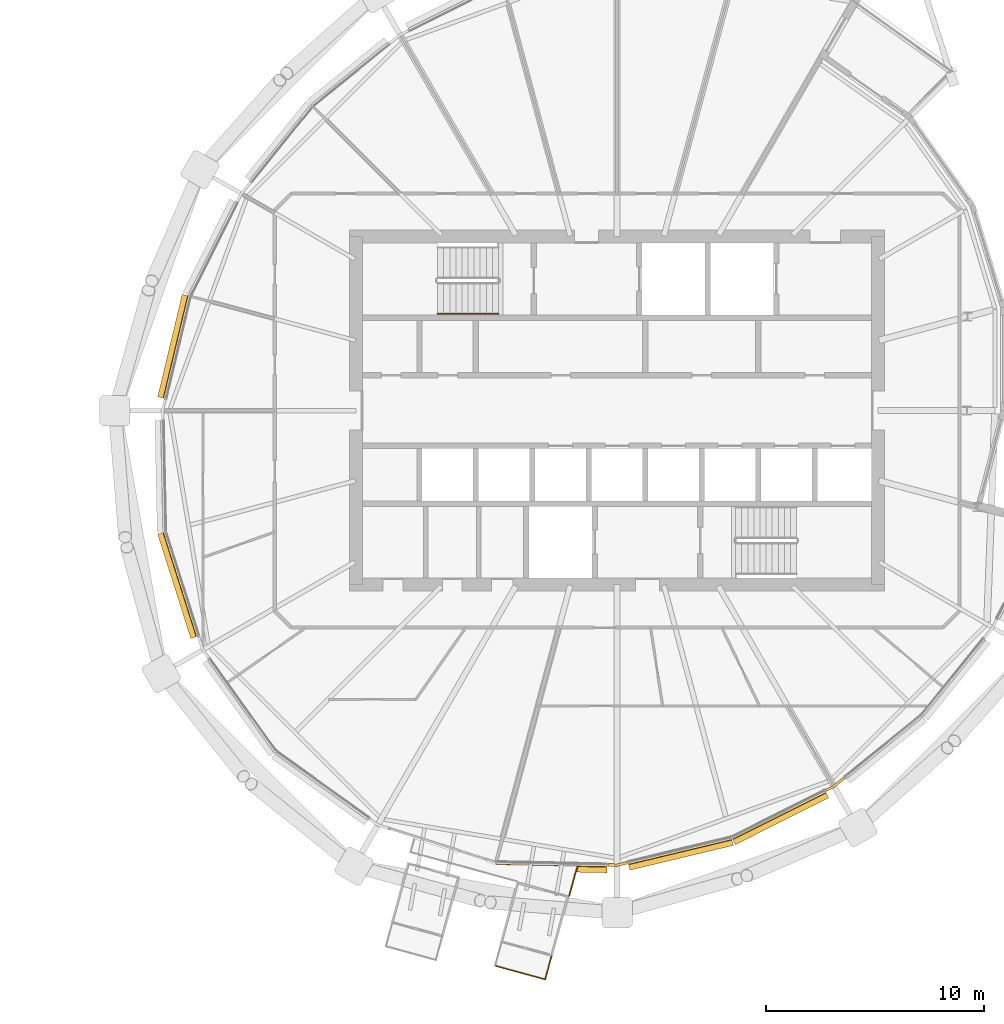
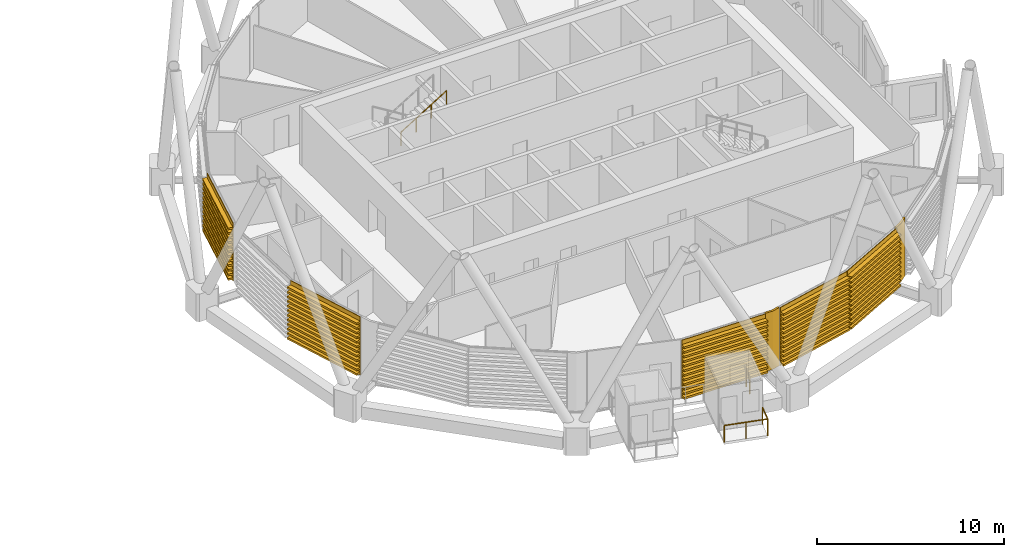
# One storey, part 35 of 37: 7 coverings, 4 railings.
"""IFC4 building model written with IfcOpenShell, lengths in metres."""

from ifc_helpers import new_model, si_unit, direction, frame, origin, origin_2d, place, context, subcontext, project, spatial, polyline, circle, outline, extrude, material, layer, layer_set, material_profile, profile_set, type_object, element, save


model = new_model("IFC4")

# Units and contexts
model_context = context("Model", 3, precision=1e-05, world=origin(), true_north=direction((0.0, 1.0)))
body_context = subcontext(model_context, "Body", "Model", "MODEL_VIEW")
ifc_project = project(units=[si_unit("LENGTHUNIT", "METRE"), si_unit("AREAUNIT", "SQUARE_METRE"), si_unit("VOLUMEUNIT", "CUBIC_METRE"), si_unit("PLANEANGLEUNIT", "RADIAN"), si_unit("MASSUNIT", "GRAM", prefix="KILO")], contexts=[model_context])

# Site, building, storey
site_placement = place(None, origin())
site = spatial("IfcSite", under=ifc_project, at=site_placement, CompositionType="ELEMENT")
building_placement = place(site_placement, origin())
building = spatial("IfcBuilding", under=site, at=building_placement, Name="Rimbun Link Towers", CompositionType="ELEMENT")
storey_placement = place(building_placement, frame((0.0, 0.0, 170.300048828125)))
storey = spatial("IfcBuildingStorey", under=building, at=storey_placement, Name="L41", CompositionType="ELEMENT", Elevation=170.300048828125)

# Railings
ifc_material_1 = material(Name="Stainless steel grade 316", Category="steel")
railing_type_1 = type_object("IfcRailingType", Name="GUARD stainless rail and posts", PredefinedType="GUARDRAIL", material=ifc_material_1)
railing_1_placement = place(storey_placement, frame((26.13134765625, -25.5146484375, 0.0)))
element("IfcRailing", 1, at=railing_1_placement, inside=storey, type_object=railing_type_1, Name="GUARD D412.01 balcony", PredefinedType="GUARDRAIL", context=body_context, shape_type="SweptSolid", body=[
    extrude(circle(Radius=0.02392578125, at=origin_2d()), frame((0.0, 0.0, 1.076171875), z_axis=(0.964302211697, -0.264804162575, 0.0), x_axis=(0.264804162575, 0.964302211697, 0.0)), (0.0, 0.0, 1.0), 2.39990234375),
    extrude(circle(Radius=0.02099609375, at=origin_2d()), origin(), (0.0, 0.0, 1.0), 1.052001953125),
    extrude(circle(Radius=0.02099609375, at=origin_2d()), frame((1.1572265625, -0.31787109375, 0.0)), (0.0, 0.0, 1.0), 1.052001953125),
    extrude(circle(Radius=0.02099609375, at=origin_2d()), frame((2.314208984375, -0.635498046875, 0.0)), (0.0, 0.0, 1.0), 1.052001953125),
])
railing_2_placement = place(storey_placement, frame((28.445556640625, -26.150146484375, 0.0)))
element("IfcRailing", 2, at=railing_2_placement, inside=storey, type_object=railing_type_1, Name="GUARD D412.01 balcony", PredefinedType="GUARDRAIL", context=body_context, shape_type="SweptSolid", body=[
    extrude(circle(Radius=0.02392578125, at=origin_2d()), frame((0.0, 0.0, 1.076171875), z_axis=(0.264826265466, 0.964296141815, 0.0), x_axis=(-0.964296141815, 0.264826265466, 0.0)), (0.0, 0.0, 1.0), 1.099853515625),
    extrude(circle(Radius=0.02099609375, at=origin_2d()), origin(), (0.0, 0.0, 1.0), 1.052001953125),
    extrude(circle(Radius=0.02099609375, at=origin_2d()), frame((0.291259765625, 1.060546875, 0.0)), (0.0, 0.0, 1.0), 1.052001953125),
])
railing_3_placement = place(storey_placement, frame((29.55322265625, -22.30615234375, 0.0)))
element("IfcRailing", 3, at=railing_3_placement, inside=storey, type_object=railing_type_1, Name="GUARD D412 gallery", PredefinedType="GUARDRAIL", context=body_context, shape_type="SweptSolid", body=[
    extrude(circle(Radius=0.02392578125, at=origin_2d()), frame((0.0, 0.0, 1.076171875), z_axis=(0.26473902374, 0.964320096912, 0.0), x_axis=(-0.964320096912, 0.26473902374, 0.0)), (0.0, 0.0, 1.0), 1.413818359375),
    extrude(circle(Radius=0.02099609375, at=origin_2d()), origin(), (0.0, 0.0, 1.0), 1.052001953125),
    extrude(circle(Radius=0.02099609375, at=origin_2d()), frame((0.18701171875, 0.681640625, 0.0)), (0.0, 0.0, 1.0), 1.052001953125),
    extrude(circle(Radius=0.02099609375, at=origin_2d()), frame((0.374267578125, 1.36328125, 0.0)), (0.0, 0.0, 1.0), 1.052001953125),
])

# Coverings
ifc_material_2 = material(Name="Terracotta", Category="masonry")
ifc_layer = layer(ifc_material_2, 0.1201171875)
ifc_layer_set = layer_set([ifc_layer], Name="LINK PIER terracotta cladding 120")
covering_type_1 = type_object("IfcCoveringType", Name="LINK PIER terracotta cladding 120", PredefinedType="CLADDING", material=ifc_layer_set)
covering_1_placement = place(storey_placement, origin())
element("IfcCovering", 4, at=covering_1_placement, inside=storey, type_object=covering_type_1, Name="LINK PIER cladding", PredefinedType="CLADDING", context=body_context, shape_type="SweptSolid", body=[
    extrude(outline(polyline([(32.20703125, -20.723876953125), (31.75, -20.8330078125), (31.330078125, -20.82421875), (31.32763671875, -20.9443359375), (31.762939453125, -20.953369140625), (32.235107421875, -20.840576171875), (32.20703125, -20.723876953125)])), origin(), (0.0, 0.0, 1.0), 3.800048828125),
])
covering_2_placement = place(storey_placement, origin())
element("IfcCovering", 5, at=covering_2_placement, inside=storey, type_object=covering_type_1, Name="LINK PIER cladding", PredefinedType="CLADDING", context=body_context, shape_type="SweptSolid", body=[
    extrude(outline(polyline([(42.174072265625, -16.830078125), (41.692138671875, -17.22021484375), (41.316650390625, -17.40869140625), (41.37060546875, -17.515869140625), (41.757568359375, -17.321533203125), (42.24951171875, -16.92333984375), (42.174072265625, -16.830078125)])), origin(), (0.0, 0.0, 1.0), 3.800048828125),
])

# Railing
ifc_material_3 = material(Name="Stainless steel grade 316", Category="steel")
railing_type_2 = type_object("IfcRailingType", Name="Stair handrail", PredefinedType="HANDRAIL", material=ifc_material_3)
railing_4_placement = place(storey_placement, frame((23.5, 4.449951171875, 2.07275390625)))
element("IfcRailing", 6, at=railing_4_placement, inside=storey, type_object=railing_type_2, Name="L41 ST3 stair handrail 2", PredefinedType="HANDRAIL", context=body_context, shape_type="SweptSolid", body=[
    extrude(circle(Radius=0.02392578125, at=origin_2d()), frame((0.0, 0.0, 0.8759765625), z_axis=(0.851089632645, 0.0, 0.525020415988), x_axis=(0.0, 1.0, 0.0)), (0.0, 0.0, 1.0), 3.2900390625),
    extrude(circle(Radius=0.02099609375, at=origin_2d()), origin(), (0.0, 0.0, 1.0), 0.851806640625),
    extrude(circle(Radius=0.02099609375, at=origin_2d()), frame((0.933349609375, 0.0, 0.57568359375)), (0.0, 0.0, 1.0), 0.851806640625),
    extrude(circle(Radius=0.02099609375, at=origin_2d()), frame((1.86669921875, 0.0, 1.151611328125)), (0.0, 0.0, 1.0), 0.851806640625),
    extrude(circle(Radius=0.02099609375, at=origin_2d()), frame((2.800048828125, 0.0, 1.727294921875)), (0.0, 0.0, 1.0), 0.851806640625),
])

# Coverings
ifc_material_4 = material(Name="Terracotta", Category="masonry")
ifc_material_profile = material_profile(ifc_material_4, outline(polyline([(0.123046875, 0.0), (0.1630859375, 0.0), (0.1630859375, 0.10009765625), (0.423095703125, 0.10009765625), (0.423095703125, 0.219970703125), (0.1630859375, 0.219970703125), (0.1630859375, 0.39990234375), (0.423095703125, 0.39990234375), (0.423095703125, 0.52001953125), (0.1630859375, 0.52001953125), (0.1630859375, 0.699951171875), (0.423095703125, 0.699951171875), (0.423095703125, 0.820068359375), (0.1630859375, 0.820068359375), (0.1630859375, 1.0), (0.423095703125, 1.0), (0.423095703125, 1.1201171875), (0.1630859375, 1.1201171875), (0.1630859375, 1.300048828125), (0.423095703125, 1.300048828125), (0.423095703125, 1.419921875), (0.1630859375, 1.419921875), (0.1630859375, 1.60009765625), (0.423095703125, 1.60009765625), (0.423095703125, 1.719970703125), (0.1630859375, 1.719970703125), (0.1630859375, 1.89990234375), (0.423095703125, 1.89990234375), (0.423095703125, 2.02001953125), (0.1630859375, 2.02001953125), (0.1630859375, 2.199951171875), (0.423095703125, 2.199951171875), (0.423095703125, 2.320068359375), (0.1630859375, 2.320068359375), (0.1630859375, 2.5), (0.423095703125, 2.5), (0.423095703125, 2.6201171875), (0.1630859375, 2.6201171875), (0.1630859375, 2.800048828125), (0.423095703125, 2.800048828125), (0.423095703125, 2.919921875), (0.1630859375, 2.919921875), (0.1630859375, 3.10009765625), (0.423095703125, 3.10009765625), (0.423095703125, 3.219970703125), (0.1630859375, 3.219970703125), (0.1630859375, 3.39990234375), (0.423095703125, 3.39990234375), (0.423095703125, 3.52001953125), (0.1630859375, 3.52001953125), (0.1630859375, 3.800048828125), (0.123046875, 3.800048828125), (0.123046875, 0.0)])), Name="BAGUETTE 120X300")
ifc_profile_set = profile_set([ifc_material_profile], Name="Terracotta")
covering_type_2 = type_object("IfcCoveringType", Name="TERRACOTTA BAGUETTE 120X300 H3800", PredefinedType="CLADDING", material=ifc_profile_set)
covering_3_placement = place(storey_placement, frame((11.044921875, 0.534912109375, 0.0), z_axis=(0.23254937584, 0.972584591589, 0.0), x_axis=(-0.972584591589, 0.23254937584, 0.0)))
element("IfcCovering", 7, at=covering_3_placement, inside=storey, type_object=covering_type_2, Name="TERRACOTTA BAGUETTE", PredefinedType="CLADDING", context=body_context, shape_type="SweptSolid", body=[
    extrude(outline(polyline([(0.123046875, 0.0), (0.1630859375, 0.0), (0.1630859375, 0.10009765625), (0.423095703125, 0.10009765625), (0.423095703125, 0.219970703125), (0.1630859375, 0.219970703125), (0.1630859375, 0.39990234375), (0.423095703125, 0.39990234375), (0.423095703125, 0.52001953125), (0.1630859375, 0.52001953125), (0.1630859375, 0.699951171875), (0.423095703125, 0.699951171875), (0.423095703125, 0.820068359375), (0.1630859375, 0.820068359375), (0.1630859375, 1.0), (0.423095703125, 1.0), (0.423095703125, 1.1201171875), (0.1630859375, 1.1201171875), (0.1630859375, 1.300048828125), (0.423095703125, 1.300048828125), (0.423095703125, 1.419921875), (0.1630859375, 1.419921875), (0.1630859375, 1.60009765625), (0.423095703125, 1.60009765625), (0.423095703125, 1.719970703125), (0.1630859375, 1.719970703125), (0.1630859375, 1.89990234375), (0.423095703125, 1.89990234375), (0.423095703125, 2.02001953125), (0.1630859375, 2.02001953125), (0.1630859375, 2.199951171875), (0.423095703125, 2.199951171875), (0.423095703125, 2.320068359375), (0.1630859375, 2.320068359375), (0.1630859375, 2.5), (0.423095703125, 2.5), (0.423095703125, 2.6201171875), (0.1630859375, 2.6201171875), (0.1630859375, 2.800048828125), (0.423095703125, 2.800048828125), (0.423095703125, 2.919921875), (0.1630859375, 2.919921875), (0.1630859375, 3.10009765625), (0.423095703125, 3.10009765625), (0.423095703125, 3.219970703125), (0.1630859375, 3.219970703125), (0.1630859375, 3.39990234375), (0.423095703125, 3.39990234375), (0.423095703125, 3.52001953125), (0.1630859375, 3.52001953125), (0.1630859375, 3.800048828125), (0.123046875, 3.800048828125), (0.123046875, 0.0)])), origin(), (0.0, 0.0, 1.0), 4.843994140625),
])
covering_4_placement = place(storey_placement, frame((12.55908203125, -10.3466796875, 0.0), z_axis=(-0.303099533333, 0.952958904095, 0.0), x_axis=(-0.952958904095, -0.303099533333, 0.0)))
element("IfcCovering", 8, at=covering_4_placement, inside=storey, type_object=covering_type_2, Name="TERRACOTTA BAGUETTE", PredefinedType="CLADDING", context=body_context, shape_type="SweptSolid", body=[
    extrude(outline(polyline([(0.123046875, 0.0), (0.1630859375, 0.0), (0.1630859375, 0.10009765625), (0.423095703125, 0.10009765625), (0.423095703125, 0.219970703125), (0.1630859375, 0.219970703125), (0.1630859375, 0.39990234375), (0.423095703125, 0.39990234375), (0.423095703125, 0.52001953125), (0.1630859375, 0.52001953125), (0.1630859375, 0.699951171875), (0.423095703125, 0.699951171875), (0.423095703125, 0.820068359375), (0.1630859375, 0.820068359375), (0.1630859375, 1.0), (0.423095703125, 1.0), (0.423095703125, 1.1201171875), (0.1630859375, 1.1201171875), (0.1630859375, 1.300048828125), (0.423095703125, 1.300048828125), (0.423095703125, 1.419921875), (0.1630859375, 1.419921875), (0.1630859375, 1.60009765625), (0.423095703125, 1.60009765625), (0.423095703125, 1.719970703125), (0.1630859375, 1.719970703125), (0.1630859375, 1.89990234375), (0.423095703125, 1.89990234375), (0.423095703125, 2.02001953125), (0.1630859375, 2.02001953125), (0.1630859375, 2.199951171875), (0.423095703125, 2.199951171875), (0.423095703125, 2.320068359375), (0.1630859375, 2.320068359375), (0.1630859375, 2.5), (0.423095703125, 2.5), (0.423095703125, 2.6201171875), (0.1630859375, 2.6201171875), (0.1630859375, 2.800048828125), (0.423095703125, 2.800048828125), (0.423095703125, 2.919921875), (0.1630859375, 2.919921875), (0.1630859375, 3.10009765625), (0.423095703125, 3.10009765625), (0.423095703125, 3.219970703125), (0.1630859375, 3.219970703125), (0.1630859375, 3.39990234375), (0.423095703125, 3.39990234375), (0.423095703125, 3.52001953125), (0.1630859375, 3.52001953125), (0.1630859375, 3.800048828125), (0.123046875, 3.800048828125), (0.123046875, 0.0)])), origin(), (0.0, 0.0, 1.0), 5.03271484375),
])
covering_5_placement = place(storey_placement, frame((31.300048828125, -20.82373046875, 0.0), z_axis=(-0.999778318568, 0.021055016521, 0.0), x_axis=(-0.021055016521, -0.999778318568, 0.0)))
element("IfcCovering", 9, at=covering_5_placement, inside=storey, type_object=covering_type_2, Name="TERRACOTTA BAGUETTE", PredefinedType="CLADDING", context=body_context, shape_type="SweptSolid", body=[
    extrude(outline(polyline([(0.123046875, 0.0), (0.1630859375, 0.0), (0.1630859375, 0.10009765625), (0.423095703125, 0.10009765625), (0.423095703125, 0.219970703125), (0.1630859375, 0.219970703125), (0.1630859375, 0.39990234375), (0.423095703125, 0.39990234375), (0.423095703125, 0.52001953125), (0.1630859375, 0.52001953125), (0.1630859375, 0.699951171875), (0.423095703125, 0.699951171875), (0.423095703125, 0.820068359375), (0.1630859375, 0.820068359375), (0.1630859375, 1.0), (0.423095703125, 1.0), (0.423095703125, 1.1201171875), (0.1630859375, 1.1201171875), (0.1630859375, 1.300048828125), (0.423095703125, 1.300048828125), (0.423095703125, 1.419921875), (0.1630859375, 1.419921875), (0.1630859375, 1.60009765625), (0.423095703125, 1.60009765625), (0.423095703125, 1.719970703125), (0.1630859375, 1.719970703125), (0.1630859375, 1.89990234375), (0.423095703125, 1.89990234375), (0.423095703125, 2.02001953125), (0.1630859375, 2.02001953125), (0.1630859375, 2.199951171875), (0.423095703125, 2.199951171875), (0.423095703125, 2.320068359375), (0.1630859375, 2.320068359375), (0.1630859375, 2.5), (0.423095703125, 2.5), (0.423095703125, 2.6201171875), (0.1630859375, 2.6201171875), (0.1630859375, 2.800048828125), (0.423095703125, 2.800048828125), (0.423095703125, 2.919921875), (0.1630859375, 2.919921875), (0.1630859375, 3.10009765625), (0.423095703125, 3.10009765625), (0.423095703125, 3.219970703125), (0.1630859375, 3.219970703125), (0.1630859375, 3.39990234375), (0.423095703125, 3.39990234375), (0.423095703125, 3.52001953125), (0.1630859375, 3.52001953125), (0.1630859375, 3.800048828125), (0.123046875, 3.800048828125), (0.123046875, 0.0)])), origin(), (0.0, 0.0, 1.0), 5.10205078125),
])
covering_6_placement = place(storey_placement, frame((36.99609375, -19.57861328125, 0.0), z_axis=(-0.972579872866, -0.232569109935, 0.0), x_axis=(0.232569109935, -0.972579872866, 0.0)))
element("IfcCovering", 10, at=covering_6_placement, inside=storey, type_object=covering_type_2, Name="TERRACOTTA BAGUETTE", PredefinedType="CLADDING", context=body_context, shape_type="SweptSolid", body=[
    extrude(outline(polyline([(0.123046875, 0.0), (0.1630859375, 0.0), (0.1630859375, 0.10009765625), (0.423095703125, 0.10009765625), (0.423095703125, 0.219970703125), (0.1630859375, 0.219970703125), (0.1630859375, 0.39990234375), (0.423095703125, 0.39990234375), (0.423095703125, 0.52001953125), (0.1630859375, 0.52001953125), (0.1630859375, 0.699951171875), (0.423095703125, 0.699951171875), (0.423095703125, 0.820068359375), (0.1630859375, 0.820068359375), (0.1630859375, 1.0), (0.423095703125, 1.0), (0.423095703125, 1.1201171875), (0.1630859375, 1.1201171875), (0.1630859375, 1.300048828125), (0.423095703125, 1.300048828125), (0.423095703125, 1.419921875), (0.1630859375, 1.419921875), (0.1630859375, 1.60009765625), (0.423095703125, 1.60009765625), (0.423095703125, 1.719970703125), (0.1630859375, 1.719970703125), (0.1630859375, 1.89990234375), (0.423095703125, 1.89990234375), (0.423095703125, 2.02001953125), (0.1630859375, 2.02001953125), (0.1630859375, 2.199951171875), (0.423095703125, 2.199951171875), (0.423095703125, 2.320068359375), (0.1630859375, 2.320068359375), (0.1630859375, 2.5), (0.423095703125, 2.5), (0.423095703125, 2.6201171875), (0.1630859375, 2.6201171875), (0.1630859375, 2.800048828125), (0.423095703125, 2.800048828125), (0.423095703125, 2.919921875), (0.1630859375, 2.919921875), (0.1630859375, 3.10009765625), (0.423095703125, 3.10009765625), (0.423095703125, 3.219970703125), (0.1630859375, 3.219970703125), (0.1630859375, 3.39990234375), (0.423095703125, 3.39990234375), (0.423095703125, 3.52001953125), (0.1630859375, 3.52001953125), (0.1630859375, 3.800048828125), (0.123046875, 3.800048828125), (0.123046875, 0.0)])), origin(), (0.0, 0.0, 1.0), 4.89404296875),
])
covering_7_placement = place(storey_placement, frame((41.2900390625, -17.422119140625, 0.0), z_axis=(-0.893633161817, -0.44879814182, 0.0), x_axis=(0.44879814182, -0.893633161817, 0.0)))
element("IfcCovering", 11, at=covering_7_placement, inside=storey, type_object=covering_type_2, Name="TERRACOTTA BAGUETTE", PredefinedType="CLADDING", context=body_context, shape_type="SweptSolid", body=[
    extrude(outline(polyline([(0.123046875, 0.0), (0.1630859375, 0.0), (0.1630859375, 0.10009765625), (0.423095703125, 0.10009765625), (0.423095703125, 0.219970703125), (0.1630859375, 0.219970703125), (0.1630859375, 0.39990234375), (0.423095703125, 0.39990234375), (0.423095703125, 0.52001953125), (0.1630859375, 0.52001953125), (0.1630859375, 0.699951171875), (0.423095703125, 0.699951171875), (0.423095703125, 0.820068359375), (0.1630859375, 0.820068359375), (0.1630859375, 1.0), (0.423095703125, 1.0), (0.423095703125, 1.1201171875), (0.1630859375, 1.1201171875), (0.1630859375, 1.300048828125), (0.423095703125, 1.300048828125), (0.423095703125, 1.419921875), (0.1630859375, 1.419921875), (0.1630859375, 1.60009765625), (0.423095703125, 1.60009765625), (0.423095703125, 1.719970703125), (0.1630859375, 1.719970703125), (0.1630859375, 1.89990234375), (0.423095703125, 1.89990234375), (0.423095703125, 2.02001953125), (0.1630859375, 2.02001953125), (0.1630859375, 2.199951171875), (0.423095703125, 2.199951171875), (0.423095703125, 2.320068359375), (0.1630859375, 2.320068359375), (0.1630859375, 2.5), (0.423095703125, 2.5), (0.423095703125, 2.6201171875), (0.1630859375, 2.6201171875), (0.1630859375, 2.800048828125), (0.423095703125, 2.800048828125), (0.423095703125, 2.919921875), (0.1630859375, 2.919921875), (0.1630859375, 3.10009765625), (0.423095703125, 3.10009765625), (0.423095703125, 3.219970703125), (0.1630859375, 3.219970703125), (0.1630859375, 3.39990234375), (0.423095703125, 3.39990234375), (0.423095703125, 3.52001953125), (0.1630859375, 3.52001953125), (0.1630859375, 3.800048828125), (0.123046875, 3.800048828125), (0.123046875, 0.0)])), origin(), (0.0, 0.0, 1.0), 4.804931640625),
])

save(model, "model.ifc")
